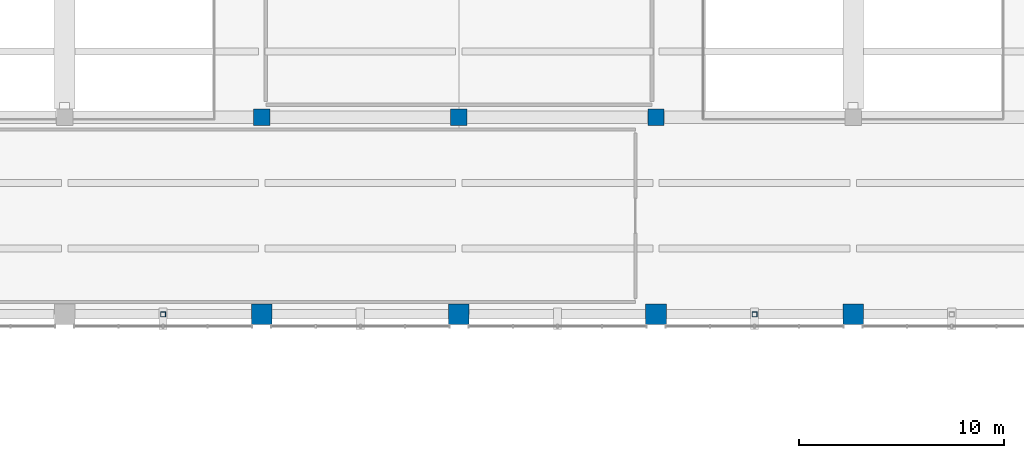
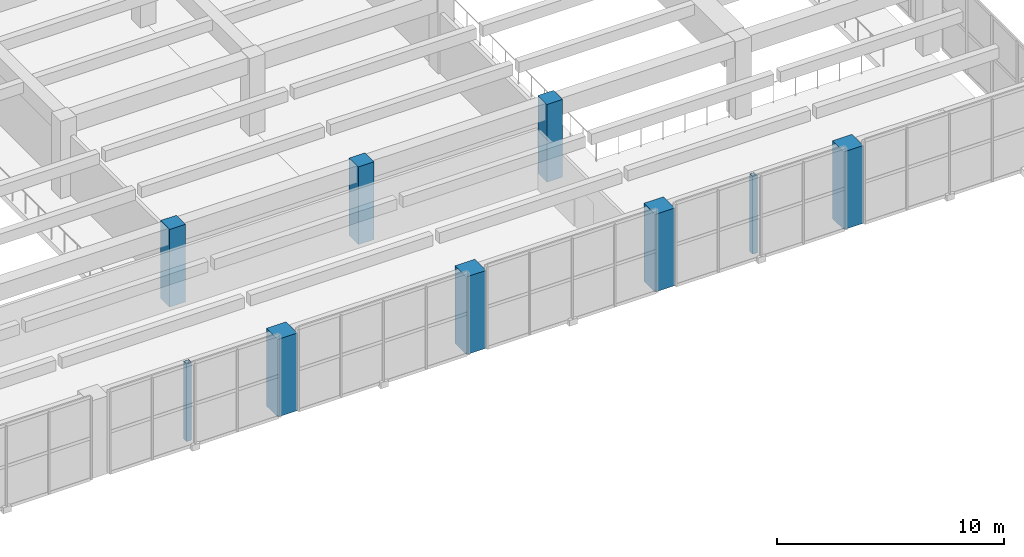
# One storey, part 3 of 49: 9 columns.
"""IFC4 building model written with IfcOpenShell, lengths in metres."""

from ifc_helpers import new_model, si_unit, direction, frame, origin, origin_2d, place, context, subcontext, project, spatial, rectangle, hollow_rectangle, extrude, material, material_profile, profile_set, type_object, element, save


model = new_model("IFC4")

# Units and contexts
model_context = context("Model", 3, precision=1e-05, world=origin(), true_north=direction((0.0, 1.0)))
body_context = subcontext(model_context, "Body", "Model", "MODEL_VIEW")
ifc_project = project(units=[si_unit("LENGTHUNIT", "METRE"), si_unit("AREAUNIT", "SQUARE_METRE"), si_unit("VOLUMEUNIT", "CUBIC_METRE"), si_unit("PLANEANGLEUNIT", "RADIAN"), si_unit("MASSUNIT", "GRAM", prefix="KILO")], contexts=[model_context])

# Site, building, storey
site_placement = place(None, origin())
site = spatial("IfcSite", under=ifc_project, at=site_placement, CompositionType="ELEMENT")
building_placement = place(site_placement, origin())
building = spatial("IfcBuilding", under=site, at=building_placement, Name="Bempovik Park Faculty of Sciences", CompositionType="ELEMENT")
storey_placement = place(building_placement, frame((0.0, 0.0, 5.39990234375)))
storey = spatial("IfcBuildingStorey", under=building, at=storey_placement, Name="L01", CompositionType="ELEMENT", Elevation=5.39990234375)

# Columns
ifc_material_1 = material(Name="Concrete C40/50", Category="concrete")
ifc_material_profile_1 = material_profile(ifc_material_1, rectangle(XDim=0.800048828125, YDim=0.800048828125, at=origin_2d()), Name="RC 800x800")
ifc_profile_set_1 = profile_set([ifc_material_profile_1], Name="Concrete C40/50")
column_type_1 = type_object("IfcColumnType", Name="C-33 RC 800x800", PredefinedType="COLUMN", material=ifc_profile_set_1)
for number, where, z_axis, x_axis, name in (
    (1, (79.199951171875, 29.39990234375, 0.0), (0.0, 0.0, 1.0), (1.0, 0.0, 0.0), "L01 Structural Column (79.2,29.4)"),
    (2, (88.800048828125, 29.39990234375, 0.0), (0.0, 0.0, 1.0), (1.0, 0.0, 0.0), "L01 Structural Column (88.8,29.4)"),
    (3, (98.39990234375, 29.39990234375, 0.0), (0.0, 0.0, 1.0), (1.0, 0.0, 0.0), "L01 Structural Column (98.4,29.4)"),
):
    element("IfcColumn", number, at=place(storey_placement, frame(where, z_axis=z_axis, x_axis=x_axis)), inside=storey, type_object=column_type_1, Name=name, PredefinedType="COLUMN", context=body_context, shape_type="SweptSolid", body=[
        extrude(rectangle(XDim=0.800048828125, YDim=0.800048828125, at=origin_2d()), origin(), (0.0, 0.0, 1.0), 4.18017578125),
    ])
ifc_material_2 = material(Name="Steel S355", Category="steel")
ifc_material_profile_2 = material_profile(ifc_material_2, hollow_rectangle(XDim=0.25, YDim=0.25, WallThickness=0.012451171875, at=origin_2d()), Name="SHS 250x250x12.5")
ifc_profile_set_2 = profile_set([ifc_material_profile_2], Name="Steel S355")
column_type_2 = type_object("IfcColumnType", Name="C-47 SHS 250x250x12.5", PredefinedType="COLUMN", material=ifc_profile_set_2)
for number, where, z_axis, x_axis, name in (
    (4, (74.39990234375, 19.800048828125, 0.0), (0.0, 0.0, 1.0), (1.0, 0.0, 0.0), "Foyer Steel Mullion Column L01 (74.4)"),
    (5, (103.199951171875, 19.800048828125, 0.0), (0.0, 0.0, 1.0), (1.0, 0.0, 0.0), "Foyer Steel Mullion Column L01 (103.2)"),
):
    element("IfcColumn", number, at=place(storey_placement, frame(where, z_axis=z_axis, x_axis=x_axis)), inside=storey, type_object=column_type_2, Name=name, PredefinedType="COLUMN", context=body_context, shape_type="SweptSolid", body=[
        extrude(hollow_rectangle(XDim=0.25, YDim=0.25, WallThickness=0.012451171875, at=origin_2d()), origin(), (0.0, 0.0, 1.0), 4.18017578125),
    ])
ifc_material_profile_3 = material_profile(ifc_material_1, rectangle(XDim=1.0, YDim=1.0, at=origin_2d()), Name="RC 1000x1000")
ifc_profile_set_3 = profile_set([ifc_material_profile_3], Name="Concrete C40/50")
column_type_3 = type_object("IfcColumnType", Name="C-84 RC 1000x1000", PredefinedType="COLUMN", material=ifc_profile_set_3)
for number, where, z_axis, x_axis, name in (
    (6, (79.199951171875, 19.800048828125, 0.0), (0.0, 0.0, 1.0), (1.0, 0.0, 0.0), "L01 Structural Column (79.2,19.8)"),
    (7, (88.800048828125, 19.800048828125, 0.0), (0.0, 0.0, 1.0), (1.0, 0.0, 0.0), "L01 Structural Column (88.8,19.8)"),
    (8, (98.39990234375, 19.800048828125, 0.0), (0.0, 0.0, 1.0), (1.0, 0.0, 0.0), "L01 Structural Column (98.4,19.8)"),
    (9, (108.0, 19.800048828125, 0.0), (0.0, 0.0, 1.0), (1.0, 0.0, 0.0), "L01 Structural Column (108.0,19.8)"),
):
    element("IfcColumn", number, at=place(storey_placement, frame(where, z_axis=z_axis, x_axis=x_axis)), inside=storey, type_object=column_type_3, Name=name, PredefinedType="COLUMN", context=body_context, shape_type="SweptSolid", body=[
        extrude(rectangle(XDim=1.0, YDim=1.0, at=origin_2d()), origin(), (0.0, 0.0, 1.0), 4.18017578125),
    ])

save(model, "model.ifc")
